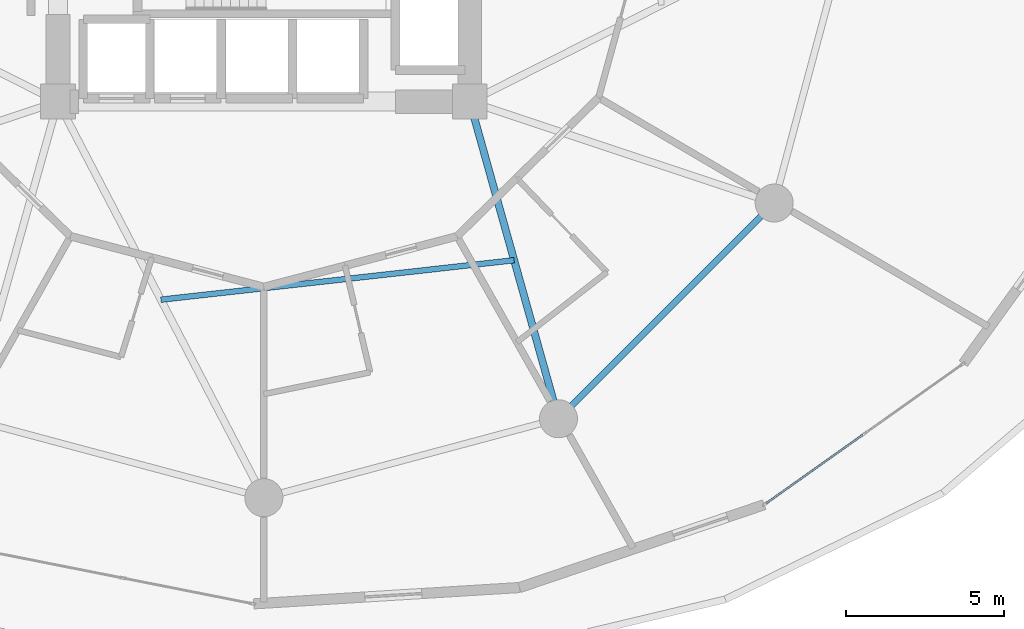
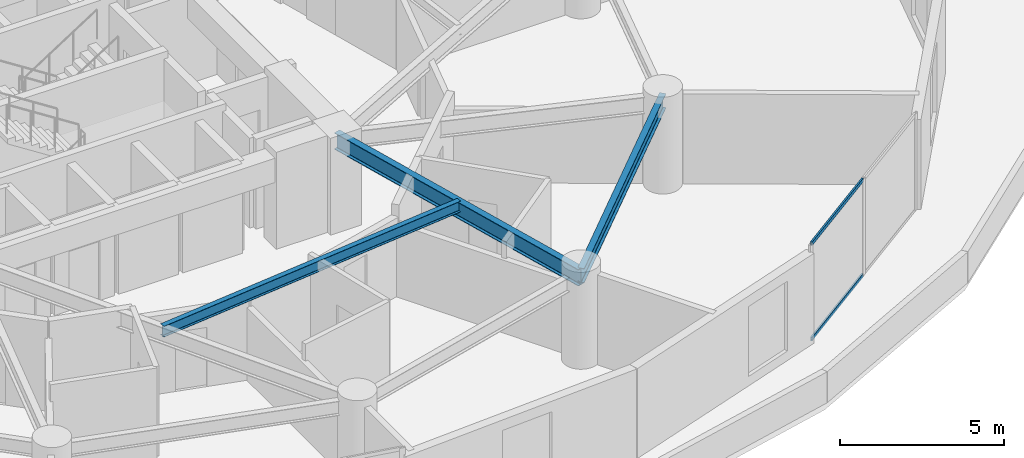
# One storey, part 8 of 25: 3 beams, 2 members, 1 element without a shape of its own.
"""IFC4 building model written with IfcOpenShell, lengths in metres."""

import ifcopenshell
import ifcopenshell.guid

model = None  # the IFC model being written
_history = None  # IfcOwnerHistory: only IFC2X3 demands one
_inside = {}  # id of a spatial element -> (the spatial element, [elements in it])
_under = {}  # id of a project, library or spatial element -> (it, [spatial elements below it])
_declared = {}  # id of a project -> (the project, [libraries it declares])
_typed = {}  # id of a type object -> (the type object, [elements of that type])
_made_of = {}  # id of a material, layer set ... -> (it, [elements and type objects made of it])


def new_model(schema):
    """Start an empty IFC model of exactly this schema.

    Asked for "IFC4X3", IfcOpenShell would pick the latest addendum, in which some entities
    have other attributes; the version numbers below select the first issue.
    IFC2X3 requires an IfcOwnerHistory on every rooted entity: one is made here for all.
    """
    global model, _history
    if schema == "IFC4X3":
        model = ifcopenshell.file(schema_version=(4, 3, 0, 0))
    else:
        model = ifcopenshell.file(schema=schema)
    _inside.clear()
    _under.clear()
    _declared.clear()
    _typed.clear()
    _made_of.clear()
    _history = None
    if model.schema == "IFC2X3":
        org = make("IfcOrganization", Name="unknown")
        user = make(
            "IfcPersonAndOrganization",
            ThePerson=make("IfcPerson", FamilyName="unknown"),
            TheOrganization=org,
        )
        app = make(
            "IfcApplication",
            ApplicationDeveloper=org,
            Version="unknown",
            ApplicationFullName="unknown",
            ApplicationIdentifier="unknown",
        )
        _history = make(
            "IfcOwnerHistory",
            OwningUser=user,
            OwningApplication=app,
            ChangeAction="ADDED",
            CreationDate=0,
        )
    return model


def make(cls, **values):
    """One entity of the class cls with the attributes given. An attribute that is None is left unset."""
    return model.create_entity(
        cls, **{name: value for name, value in values.items() if value is not None}
    )


def rooted(cls, **values):
    """An entity with a GlobalId (a new one), such as an element, a storey or a relation."""
    return make(cls, GlobalId=ifcopenshell.guid.new(), OwnerHistory=_history, **values)


def si_unit(unit_type, name, prefix=None):
    """IfcSIUnit, for example si_unit("LENGTHUNIT", "METRE", prefix="MILLI")."""
    return make("IfcSIUnit", UnitType=unit_type, Prefix=prefix, Name=name)


def assignment(units):
    """IfcUnitAssignment: the units of a project."""
    return None if units is None else make("IfcUnitAssignment", Units=units)


def point(xyz):
    """IfcCartesianPoint."""
    return None if xyz is None else make("IfcCartesianPoint", Coordinates=xyz)


def direction(xyz):
    """IfcDirection."""
    return None if xyz is None else make("IfcDirection", DirectionRatios=xyz)


def frame(location, z_axis=None, x_axis=None):
    """IfcAxis2Placement3D, a coordinate frame: its origin and axes. An axis left out is left unset."""
    return make(
        "IfcAxis2Placement3D",
        Location=point(location),
        Axis=direction(z_axis),
        RefDirection=direction(x_axis),
    )


def frame_2d(location, x_axis=None):
    """IfcAxis2Placement2D, a coordinate frame in the plane: its origin and x axis."""
    return make(
        "IfcAxis2Placement2D", Location=point(location), RefDirection=direction(x_axis)
    )


def origin():
    """The frame at (0, 0, 0) with its axes left unset."""
    return frame((0.0, 0.0, 0.0))


def origin_2d():
    """The frame at (0, 0) in the plane with its x axis left unset."""
    return frame_2d((0.0, 0.0))


def place(relative_to, where):
    """IfcLocalPlacement: puts the frame where relative to a parent placement (None: the world)."""
    return make(
        "IfcLocalPlacement", PlacementRelTo=relative_to, RelativePlacement=where
    )


def context(
    kind, dimensions, precision=None, world=None, true_north=None, identifier=None
):
    """IfcGeometricRepresentationContext, for example the 3D "Model" context."""
    return make(
        "IfcGeometricRepresentationContext",
        ContextIdentifier=identifier,
        ContextType=kind,
        CoordinateSpaceDimension=dimensions,
        Precision=precision,
        WorldCoordinateSystem=world,
        TrueNorth=true_north,
    )


def subcontext(parent, identifier, kind, view, scale=None):
    """IfcGeometricRepresentationSubContext, for example "Body" below "Model"."""
    return make(
        "IfcGeometricRepresentationSubContext",
        ContextIdentifier=identifier,
        ContextType=kind,
        ParentContext=parent,
        TargetScale=scale,
        TargetView=view,
    )


def project(units=None, contexts=None):
    """IfcProject with its units and contexts."""
    return rooted(
        "IfcProject",
        Name="project",
        RepresentationContexts=contexts,
        UnitsInContext=assignment(units),
    )


def spatial(cls, under=None, at=None, **own):
    """A site, building, storey or space (cls), placed at a placement, below another one or the project."""
    s = rooted(cls, ObjectPlacement=at, **own)
    if under is not None:
        _under.setdefault(under.id(), (under, []))[1].append(s)
    return s


def profile(cls, at=None, kind="AREA", **sizes):
    """A parametric profile (cls). Its sizes go by their IFC names, for example OverallWidth=200.0."""
    return make(cls, ProfileType=kind, Position=at, **sizes)


def hollow_rectangle(**sizes):
    """IfcRectangleHollowProfileDef."""
    return profile("IfcRectangleHollowProfileDef", **sizes)


def i_section(**sizes):
    """IfcIShapeProfileDef."""
    return profile("IfcIShapeProfileDef", **sizes)


def extrude(swept, where, along, depth):
    """IfcExtrudedAreaSolid: the profile swept, set in the frame where, extruded along a direction by depth."""
    return make(
        "IfcExtrudedAreaSolid",
        SweptArea=swept,
        Position=where,
        ExtrudedDirection=direction(along),
        Depth=depth,
    )


def shape(context_of_items, identifier, shape_type, items):
    """IfcShapeRepresentation: the items that make up one representation, for example the "Body"."""
    return make(
        "IfcShapeRepresentation",
        ContextOfItems=context_of_items,
        RepresentationIdentifier=identifier,
        RepresentationType=shape_type,
        Items=items,
    )


def source(mapping_origin, context_of_items, identifier, shape_type, items):
    """IfcRepresentationMap: a shape defined once, which mapped items show again and again."""
    return make(
        "IfcRepresentationMap",
        MappingOrigin=mapping_origin,
        MappedRepresentation=shape(context_of_items, identifier, shape_type, items),
    )


def transform(
    local_origin,
    x_axis=None,
    y_axis=None,
    z_axis=None,
    scale=None,
    scale2=None,
    scale3=None,
    uniform=True,
):
    """IfcCartesianTransformationOperator3D, or its non-uniform kind. x_axis, y_axis, z_axis: its Axis1, 2, 3."""
    if uniform:
        return make(
            "IfcCartesianTransformationOperator3D",
            Axis1=direction(x_axis),
            Axis2=direction(y_axis),
            LocalOrigin=point(local_origin),
            Scale=scale,
            Axis3=direction(z_axis),
        )
    return make(
        "IfcCartesianTransformationOperator3DnonUniform",
        Axis1=direction(x_axis),
        Axis2=direction(y_axis),
        LocalOrigin=point(local_origin),
        Scale=scale,
        Axis3=direction(z_axis),
        Scale2=scale2,
        Scale3=scale3,
    )


def mapped(mapping_source, mapping_target):
    """IfcMappedItem: shows the shape of a source again, moved by a transform."""
    return make(
        "IfcMappedItem", MappingSource=mapping_source, MappingTarget=mapping_target
    )


def material(Name=None, Category=None):
    """IfcMaterial."""
    return make("IfcMaterial", Name=Name, Category=Category)


def layer(
    of_material, thickness, ventilated=None, Name=None, Category=None, Priority=None
):
    """IfcMaterialLayer: one layer of a wall or slab, of a material (None: an air gap)."""
    return make(
        "IfcMaterialLayer",
        Material=of_material,
        LayerThickness=thickness,
        IsVentilated=ventilated,
        Name=Name,
        Category=Category,
        Priority=Priority,
    )


def layer_set(layers, Name=None):
    """IfcMaterialLayerSet."""
    return make("IfcMaterialLayerSet", MaterialLayers=layers, LayerSetName=Name)


def material_profile(
    of_material, cross_section, Name=None, Category=None, Priority=None
):
    """IfcMaterialProfile: a cross section and its material."""
    return make(
        "IfcMaterialProfile",
        Name=Name,
        Material=of_material,
        Profile=cross_section,
        Priority=Priority,
        Category=Category,
    )


def profile_set(profiles, Name=None, composite=None):
    """IfcMaterialProfileSet."""
    return make(
        "IfcMaterialProfileSet",
        Name=Name,
        MaterialProfiles=profiles,
        CompositeProfile=composite,
    )


def made_of(thing, what):
    """Note that an element or type object is made of a material, layer set ...; save() writes the relation."""
    if what is not None:
        _made_of.setdefault(what.id(), (what, []))[1].append(thing)
    return thing


def type_object(cls, material=None, **own):
    """A type object (cls), such as IfcWallType, which elements share."""
    return made_of(rooted(cls, **own), material)


def element(
    cls,
    number,
    at=None,
    inside=None,
    cuts=None,
    type_object=None,
    material=None,
    context=None,
    identifier="Body",
    shape_type=None,
    held_by="IfcProductDefinitionShape",
    body=None,
    shapes=None,
    **own,
):
    """One element of the class cls, such as IfcWall. Its Tag is "e" and its number.

    at: its placement. inside: the storey or other place that contains it. cuts: it is an
    opening in that element (IfcRelVoidsElement). A single representation is given by context,
    identifier, shape_type and body (its items); several are given by shapes. held_by: the class
    of the entity that holds the representations. save() writes the other relations.
    """
    e = rooted(cls, Tag="e%d" % number, ObjectPlacement=at, **own)
    if body is not None:
        shapes = [shape(context, identifier, shape_type, body)]
    if shapes is not None:
        e.Representation = make(held_by, Representations=shapes)
    if inside is not None:
        _inside.setdefault(inside.id(), (inside, []))[1].append(e)
    if cuts is not None:
        rooted(
            "IfcRelVoidsElement", RelatingBuildingElement=cuts, RelatedOpeningElement=e
        )
    if type_object is not None:
        _typed.setdefault(type_object.id(), (type_object, []))[1].append(e)
    return made_of(e, material)


def aggregate(whole, parts):
    """IfcRelAggregates: a whole, such as a stair, and the parts it consists of."""
    return rooted("IfcRelAggregates", RelatingObject=whole, RelatedObjects=parts)


def save(model, path):
    """Write the relations noted so far, then the file.

    IfcRelAggregates (storeys below a building ...), IfcRelContainedInSpatialStructure (elements
    in a storey), IfcRelDefinesByType, IfcRelAssociatesMaterial and IfcRelDeclares: one each for
    every whole, place, type object, material and project.
    """
    for whole, parts in _under.values():
        aggregate(whole, parts)
    for where, things in _inside.values():
        rooted(
            "IfcRelContainedInSpatialStructure",
            RelatedElements=things,
            RelatingStructure=where,
        )
    for kind, things in _typed.values():
        rooted("IfcRelDefinesByType", RelatedObjects=things, RelatingType=kind)
    for what, things in _made_of.values():
        rooted("IfcRelAssociatesMaterial", RelatedObjects=things, RelatingMaterial=what)
    for by, libraries in _declared.values():
        rooted("IfcRelDeclares", RelatingContext=by, RelatedDefinitions=libraries)
    model.write(path)


model = new_model("IFC4")

# Units and contexts
model_context = context("Model", 3, precision=1e-05, world=origin(), true_north=direction((0.0, 1.0)))
body_context = subcontext(model_context, "Body", "Model", "MODEL_VIEW")
ifc_project = project(units=[si_unit("LENGTHUNIT", "METRE"), si_unit("AREAUNIT", "SQUARE_METRE"), si_unit("VOLUMEUNIT", "CUBIC_METRE"), si_unit("PLANEANGLEUNIT", "RADIAN"), si_unit("MASSUNIT", "GRAM", prefix="KILO")], contexts=[model_context])

# Site, building, storey
site_placement = place(None, origin())
site = spatial("IfcSite", under=ifc_project, at=site_placement, CompositionType="ELEMENT")
building_placement = place(site_placement, origin())
building = spatial("IfcBuilding", under=site, at=building_placement, Name="Solvirekh Grand Hotel", CompositionType="ELEMENT")
storey_placement = place(building_placement, frame((0.0, 0.0, 28.39990234375)))
storey = spatial("IfcBuildingStorey", under=building, at=storey_placement, Name="L05", CompositionType="ELEMENT", Elevation=28.39990234375)

# Beams
ifc_material_1 = material(Name="Steel S355", Category="steel")
ifc_material_profile_1 = material_profile(ifc_material_1, i_section(OverallWidth=0.22802734375, OverallDepth=0.616943359375, WebThickness=0.012939453125, FlangeThickness=0.02001953125, FilletRadius=0.014892578125, at=origin_2d()), Name="W610X140")
ifc_profile_set_1 = profile_set([ifc_material_profile_1], Name="Steel S355")
beam_type_1 = type_object("IfcBeamType", Name="Beam_Radial_W610", PredefinedType="BEAM", material=ifc_profile_set_1)
beam_1_placement = place(storey_placement, frame((6.5, -6.10009765625, 3.031005859375), z_axis=(0.269439084681, -0.963017434757, 0.0), x_axis=(0.963017434757, 0.269439084681, 0.0)))
element("IfcBeam", 1, at=beam_1_placement, inside=storey, type_object=beam_type_1, Name="L05 radial floor beam R11", PredefinedType="BEAM", context=body_context, shape_type="SweptSolid", body=[
    extrude(i_section(OverallWidth=0.22802734375, OverallDepth=0.616943359375, WebThickness=0.012939453125, FlangeThickness=0.02001953125, FilletRadius=0.014892578125, at=origin_2d()), origin(), (0.0, 0.0, 1.0), 10.39208984375),
])
ifc_material_profile_2 = material_profile(ifc_material_1, i_section(OverallWidth=0.177978515625, OverallDepth=0.406982421875, WebThickness=0.008056640625, FlangeThickness=0.011962890625, FilletRadius=0.011962890625, at=origin_2d()), Name="W410X60")
ifc_profile_set_2 = profile_set([ifc_material_profile_2], Name="Steel S355")
beam_type_2 = type_object("IfcBeamType", Name="Joist_Floor_W410", PredefinedType="JOIST", material=ifc_profile_set_2)
beam_2_placement = place(storey_placement, frame((-3.25, -12.35009765625, 3.13720703125), z_axis=(0.99381294191, 0.111066810937, 0.0), x_axis=(-0.111066810937, 0.99381294191, 0.0)))
element("IfcBeam", 2, at=beam_2_placement, inside=storey, type_object=beam_type_2, Name="L05 secondary composite floor joist 10", PredefinedType="JOIST", context=body_context, shape_type="SweptSolid", body=[
    extrude(i_section(OverallWidth=0.177978515625, OverallDepth=0.406982421875, WebThickness=0.008056640625, FlangeThickness=0.011962890625, FilletRadius=0.011962890625, at=origin_2d()), origin(), (0.0, 0.0, 1.0), 11.21923828125),
])
ifc_material_profile_3 = material_profile(ifc_material_1, i_section(OverallWidth=0.208984375, OverallDepth=0.532958984375, WebThickness=0.010009765625, FlangeThickness=0.014892578125, FilletRadius=0.013916015625, at=origin_2d()), Name="W530X92")
ifc_profile_set_3 = profile_set([ifc_material_profile_3], Name="Steel S355")
beam_type_3 = type_object("IfcBeamType", Name="Spandrel_Ring_W530", PredefinedType="SPANDREL", material=ifc_profile_set_3)
beam_3_placement = place(storey_placement, frame((9.300048828125, -16.10791015625, 3.072998046875), z_axis=(0.707106781187, 0.707106781187, 0.0), x_axis=(-0.707106781187, 0.707106781187, 0.0)))
element("IfcBeam", 3, at=beam_3_placement, inside=storey, type_object=beam_type_3, Name="L05 perimeter spandrel beam 11", PredefinedType="SPANDREL", context=body_context, shape_type="SweptSolid", body=[
    extrude(i_section(OverallWidth=0.208984375, OverallDepth=0.532958984375, WebThickness=0.010009765625, FlangeThickness=0.014892578125, FilletRadius=0.013916015625, at=origin_2d()), origin(), (0.0, 0.0, 1.0), 9.627685546875),
])

# Curtain wall, members
ifc_material_2 = material(Name="Anodized Bronze Aluminium 6063-T6", Category="aluminium")
ifc_layer = layer(ifc_material_2, 0.18994140625)
ifc_layer_set = layer_set([ifc_layer], Name="Anodized Bronze Aluminium 6063-T6")
curtain_wall_type = type_object("IfcCurtainWallType", Name="CW_Sys2_LowZoneFlushBronzeCW", PredefinedType="NOTDEFINED", material=ifc_layer_set)
curtain_wall_placement = place(storey_placement, origin())
curtain_wall = element("IfcCurtainWall", 4, at=curtain_wall_placement, inside=storey, type_object=curtain_wall_type, Name="L05 unitised bronze-glass curtain wall CW-L05-C18", PredefinedType="NOTDEFINED")
ifc_material_profile_4 = material_profile(ifc_material_2, hollow_rectangle(XDim=0.06005859375, YDim=0.135009765625, WallThickness=0.00390625, at=origin_2d()), Name="ALU RHS 135X60X4")
ifc_profile_set_4 = profile_set([ifc_material_profile_4], Name="Anodized Bronze Aluminium 6063-T6")
member_type = type_object("IfcMemberType", Name="CWTransom_Sys2", PredefinedType="USERDEFINED", material=ifc_profile_set_4)
shared_shape = source(origin(), body_context, "Body", "SweptSolid", [
    extrude(hollow_rectangle(XDim=0.06005859375, YDim=0.135009765625, WallThickness=0.00390625, at=origin_2d()), origin(), (0.0, 0.0, 1.0), 3.747314453125),
])
member_1_placement = place(storey_placement, frame((15.85009765625, -18.780517578125, 0.030029296875), z_axis=(0.815779839774, 0.57836256191, 0.0), x_axis=(-0.57836256191, 0.815779839774, 0.0)))
member_1 = element("IfcMember", 5, at=member_1_placement, type_object=member_type, Name="U02 transom 1.1", ObjectType="TRANSOM", PredefinedType="USERDEFINED", context=body_context, shape_type="MappedRepresentation", body=[
    mapped(shared_shape, transform((0.0, 0.0, 0.0), x_axis=(1.0, 0.0, 0.0), y_axis=(0.0, 1.0, 0.0), z_axis=(0.0, 0.0, 1.0), scale=1.0)),
])
member_2_placement = place(storey_placement, frame((15.85009765625, -18.780517578125, 3.570068359375), z_axis=(0.815779839774, 0.57836256191, 0.0), x_axis=(-0.57836256191, 0.815779839774, 0.0)))
member_2 = element("IfcMember", 6, at=member_2_placement, type_object=member_type, Name="U02 transom 1.2", ObjectType="TRANSOM", PredefinedType="USERDEFINED", context=body_context, shape_type="MappedRepresentation", body=[
    mapped(shared_shape, transform((0.0, 0.0, 0.0), x_axis=(1.0, 0.0, 0.0), y_axis=(0.0, 1.0, 0.0), z_axis=(0.0, 0.0, 1.0), scale=1.0)),
])
aggregate(curtain_wall, [member_1, member_2])

save(model, "model.ifc")
